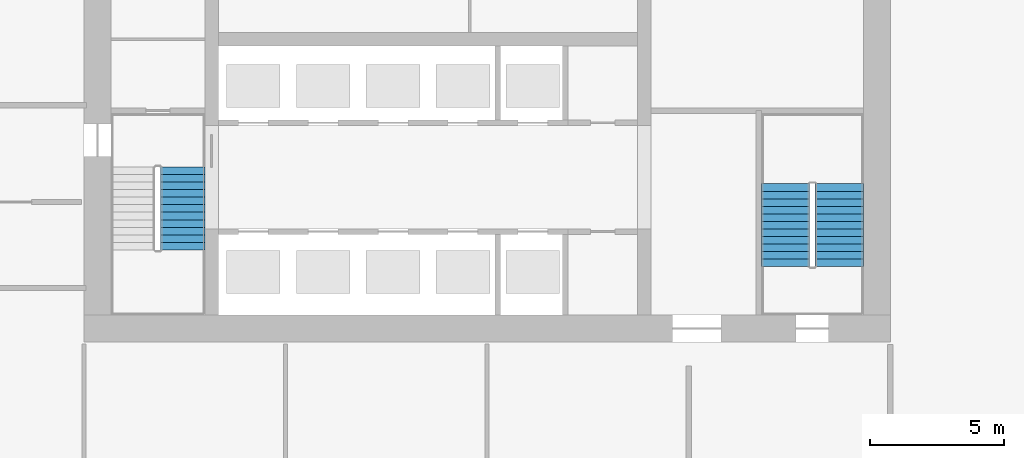
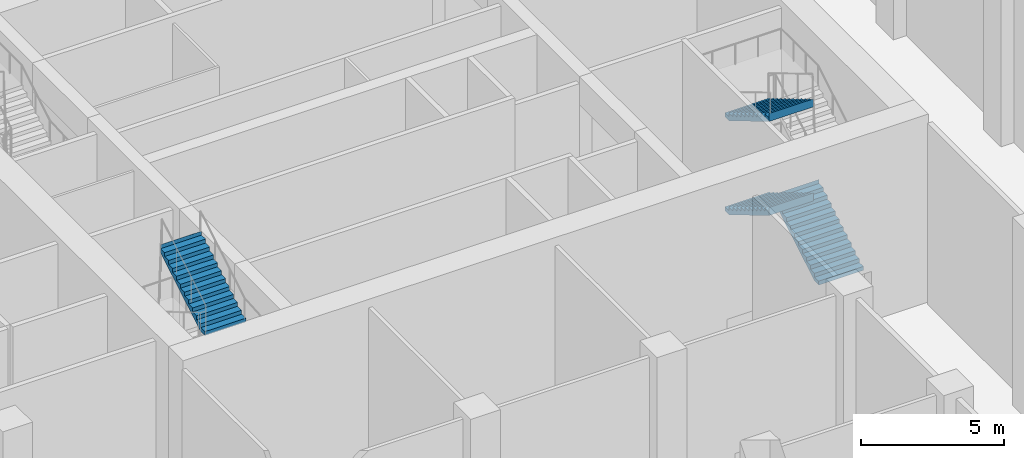
# One storey, part 36 of 57: 4 stair flights, 2 elements without a shape of their own.
"""IFC4 building model written with IfcOpenShell, lengths in metres."""

from ifc_helpers import new_model, si_unit, direction, frame, origin, place, context, subcontext, project, spatial, polyline, outline, extrude, material, type_object, element, aggregate, save


model = new_model("IFC4")

# Units and contexts
model_context = context("Model", 3, precision=1e-05, world=origin(), true_north=direction((0.0, 1.0)))
body_context = subcontext(model_context, "Body", "Model", "MODEL_VIEW")
ifc_project = project(units=[si_unit("LENGTHUNIT", "METRE"), si_unit("AREAUNIT", "SQUARE_METRE"), si_unit("VOLUMEUNIT", "CUBIC_METRE"), si_unit("PLANEANGLEUNIT", "RADIAN"), si_unit("MASSUNIT", "GRAM", prefix="KILO")], contexts=[model_context])

# Site, building, storey
site_placement = place(None, origin())
site = spatial("IfcSite", under=ifc_project, at=site_placement, CompositionType="ELEMENT")
building_placement = place(site_placement, origin())
building = spatial("IfcBuilding", under=site, at=building_placement, Name="Tamorin Gate", CompositionType="ELEMENT")
storey_placement = place(building_placement, origin())
storey = spatial("IfcBuildingStorey", under=building, at=storey_placement, Name="L00", CompositionType="ELEMENT", Elevation=0.0)

# Stair, stair flight
ifc_material = material(Name="Concrete C40/50", Category="concrete")
stair_type = type_object("IfcStairType", Name="Exit stair", PredefinedType="HALF_TURN_STAIR", material=ifc_material)
stair_1_placement = place(storey_placement, origin())
stair_1 = element("IfcStair", 1, at=stair_1_placement, inside=storey, type_object=stair_type, Name="L00 stair ST1", PredefinedType="HALF_TURN_STAIR")
stair_flight_type = type_object("IfcStairFlightType", Name="Exit stair flight", PredefinedType="STRAIGHT", material=ifc_material)
stair_flight_1_placement = place(storey_placement, frame((33.675048828125, 63.419921875, 6.0), z_axis=(0.0, 0.0, 1.0), x_axis=(0.0, 1.0, 0.0)))
stair_flight_1 = element("IfcStairFlight", 2, at=stair_flight_1_placement, type_object=stair_flight_type, Name="ST1 flight 4", NumberOfRisers=12, NumberOfTreads=11, PredefinedType="STRAIGHT", RiserHeight=0.166666667, TreadLength=0.28, context=body_context, shape_type="SweptSolid", body=[
    extrude(outline(polyline([(-0.00048828125, 0.0), (-0.00048828125, 0.001708984375), (-0.00048828125, 0.00341796875), (-0.00048828125, 0.0048828125), (-0.00048828125, 0.006591796875), (-0.00048828125, 0.00830078125), (-0.00048828125, 0.010009765625), (-0.00048828125, 0.011474609375), (-0.00048828125, 0.01318359375), (-0.00048828125, 0.014892578125), (-0.00048828125, 0.0166015625), (-0.00048828125, 0.01806640625), (-0.00048828125, 0.019775390625), (-0.00048828125, 0.021484375), (-0.00048828125, 0.023193359375), (-0.00048828125, 0.024658203125), (-0.00048828125, 0.0263671875), (-0.00048828125, 0.028076171875), (-0.00048828125, 0.02978515625), (-0.00048828125, 0.03125), (-0.00048828125, 0.032958984375), (-0.00048828125, 0.03466796875), (-0.00048828125, 0.036376953125), (-0.00048828125, 0.037841796875), (-0.00048828125, 0.03955078125), (-0.00048828125, 0.041259765625), (-0.00048828125, 0.04296875), (-0.00048828125, 0.04443359375), (-0.00048828125, 0.046142578125), (-0.00048828125, 0.0478515625), (-0.00048828125, 0.049560546875), (-0.00048828125, 0.05126953125), (-0.00048828125, 0.052734375), (-0.00048828125, 0.054443359375), (-0.00048828125, 0.05615234375), (-0.00048828125, 0.057861328125), (-0.00048828125, 0.059326171875), (-0.00048828125, 0.06103515625), (-0.00048828125, 0.062744140625), (-0.00048828125, 0.064453125), (-0.00048828125, 0.06591796875), (-0.00048828125, 0.067626953125), (-0.00048828125, 0.0693359375), (-0.00048828125, 0.071044921875), (-0.00048828125, 0.072509765625), (-0.00048828125, 0.07421875), (-0.00048828125, 0.075927734375), (-0.00048828125, 0.07763671875), (-0.00048828125, 0.0791015625), (-0.00048828125, 0.080810546875), (-0.00048828125, 0.08251953125), (-0.00048828125, 0.084228515625), (-0.00048828125, 0.085693359375), (-0.00048828125, 0.08740234375), (-0.00048828125, 0.089111328125), (-0.00048828125, 0.0908203125), (-0.00048828125, 0.092529296875), (-0.00048828125, 0.093994140625), (-0.00048828125, 0.095703125), (-0.00048828125, 0.097412109375), (-0.00048828125, 0.09912109375), (-0.00048828125, 0.1005859375), (-0.00048828125, 0.102294921875), (-0.00048828125, 0.10400390625), (-0.00048828125, 0.105712890625), (-0.00048828125, 0.107177734375), (-0.00048828125, 0.10888671875), (-0.00048828125, 0.110595703125), (-0.00048828125, 0.1123046875), (-0.00048828125, 0.11376953125), (-0.00048828125, 0.115478515625), (-0.00048828125, 0.1171875), (-0.00048828125, 0.118896484375), (-0.00048828125, 0.120361328125), (-0.00048828125, 0.1220703125), (-0.00048828125, 0.123779296875), (-0.00048828125, 0.12548828125), (-0.00048828125, 0.126953125), (-0.00048828125, 0.128662109375), (-0.00048828125, 0.13037109375), (-0.00048828125, 0.132080078125), (-0.00048828125, 0.133544921875), (-0.00048828125, 0.13525390625), (-0.00048828125, 0.136962890625), (-0.00048828125, 0.138671875), (-0.00048828125, 0.140380859375), (-0.00048828125, 0.141845703125), (-0.00048828125, 0.1435546875), (-0.00048828125, 0.145263671875), (-0.00048828125, 0.14697265625), (-0.00048828125, 0.1484375), (-0.00048828125, 0.150146484375), (-0.00048828125, 0.15185546875), (-0.00048828125, 0.153564453125), (-0.00048828125, 0.155029296875), (-0.00048828125, 0.15673828125), (-0.00048828125, 0.158447265625), (-0.00048828125, 0.16015625), (-0.00048828125, 0.16162109375), (-0.00048828125, 0.163330078125), (-0.00048828125, 0.1650390625), (-0.00048828125, 0.166748046875), (0.280029296875, 0.166748046875), (0.280029296875, 0.333251953125), (0.56005859375, 0.333251953125), (0.56005859375, 0.5), (0.840087890625, 0.5), (0.840087890625, 0.666748046875), (1.1201171875, 0.666748046875), (1.1201171875, 0.833251953125), (1.39990234375, 0.833251953125), (1.39990234375, 1.0), (1.679931640625, 1.0), (1.679931640625, 1.166748046875), (1.9599609375, 1.166748046875), (1.9599609375, 1.333251953125), (2.239990234375, 1.333251953125), (2.239990234375, 1.5), (2.52001953125, 1.5), (2.52001953125, 1.666748046875), (2.800048828125, 1.666748046875), (2.800048828125, 1.833251953125), (3.080078125, 1.833251953125), (3.080078125, 2.0), (3.08056640625, 2.0), (3.08056640625, 1.99658203125), (3.08056640625, 1.9931640625), (3.08056640625, 1.98974609375), (3.08056640625, 1.986572265625), (3.08056640625, 1.983154296875), (3.08056640625, 1.979736328125), (3.08056640625, 1.976318359375), (3.08056640625, 1.972900390625), (3.08056640625, 1.969482421875), (3.08056640625, 1.96630859375), (3.08056640625, 1.962890625), (3.08056640625, 1.95947265625), (3.08056640625, 1.9560546875), (3.08056640625, 1.95263671875), (3.08056640625, 1.94921875), (3.08056640625, 1.946044921875), (3.08056640625, 1.942626953125), (3.08056640625, 1.939208984375), (3.08056640625, 1.935791015625), (3.08056640625, 1.932373046875), (3.08056640625, 1.928955078125), (3.08056640625, 1.92578125), (3.08056640625, 1.92236328125), (3.08056640625, 1.9189453125), (3.08056640625, 1.91552734375), (3.08056640625, 1.912109375), (3.08056640625, 1.90869140625), (3.08056640625, 1.905517578125), (3.08056640625, 1.902099609375), (3.08056640625, 1.898681640625), (3.08056640625, 1.895263671875), (3.08056640625, 1.891845703125), (3.08056640625, 1.888427734375), (3.08056640625, 1.88525390625), (3.08056640625, 1.8818359375), (3.08056640625, 1.87841796875), (3.08056640625, 1.875), (3.08056640625, 1.87158203125), (3.08056640625, 1.8681640625), (3.08056640625, 1.864990234375), (3.08056640625, 1.861572265625), (3.08056640625, 1.858154296875), (3.08056640625, 1.854736328125), (3.08056640625, 1.851318359375), (3.08056640625, 1.847900390625), (3.08056640625, 1.8447265625), (3.08056640625, 1.84130859375), (3.08056640625, 1.837890625), (3.08056640625, 1.83447265625), (3.08056640625, 1.8310546875), (3.08056640625, 1.82763671875), (3.08056640625, 1.824462890625), (3.08056640625, 1.821044921875), (3.08056640625, 1.817626953125), (3.08056640625, 1.814208984375), (3.08056640625, 1.810791015625), (3.08056640625, 1.807373046875), (3.08056640625, 1.80419921875), (3.08056640625, 1.80078125), (3.08056640625, 1.79736328125), (3.08056640625, 1.7939453125), (3.08056640625, 1.79052734375), (3.08056640625, 1.787109375), (3.08056640625, 1.783935546875), (3.08056640625, 1.780517578125), (3.08056640625, 1.777099609375), (3.08056640625, 1.773681640625), (3.08056640625, 1.770263671875), (3.08056640625, 1.766845703125), (3.08056640625, 1.763671875), (3.08056640625, 1.76025390625), (3.08056640625, 1.7568359375), (3.08056640625, 1.75341796875), (3.08056640625, 1.75), (3.08056640625, 1.74658203125), (3.08056640625, 1.743408203125), (3.08056640625, 1.739990234375), (3.08056640625, 1.736572265625), (3.08056640625, 1.733154296875), (3.08056640625, 1.729736328125), (3.08056640625, 1.726318359375), (3.08056640625, 1.72314453125), (3.08056640625, 1.7197265625), (3.08056640625, 1.71630859375), (3.08056640625, 1.712890625), (3.08056640625, 1.70947265625), (3.08056640625, 1.7060546875), (3.08056640625, 1.702880859375), (3.08056640625, 1.699462890625), (3.08056640625, 1.696044921875), (3.08056640625, 1.692626953125), (3.08056640625, 1.689208984375), (3.08056640625, 1.685791015625), (3.08056640625, 1.6826171875), (3.08056640625, 1.67919921875), (3.08056640625, 1.67578125), (3.08056640625, 1.67236328125), (3.08056640625, 1.6689453125), (3.08056640625, 1.66552734375), (3.08056640625, 1.662353515625), (3.08056640625, 1.658935546875), (3.080078125, 1.658935546875), (0.29296875, 0.0), (-0.00048828125, 0.0)])), frame((0.0, 0.824951171875, 0.0), z_axis=(0.0, -1.0, 0.0), x_axis=(1.0, 0.0, 0.0)), (0.0, 0.0, 1.0), 1.64990234375),
])
aggregate(stair_1, [stair_flight_1])

# Stair, stair flights
stair_2_placement = place(storey_placement, origin())
stair_2 = element("IfcStair", 3, at=stair_2_placement, inside=storey, type_object=stair_type, Name="L00 stair ST3", PredefinedType="HALF_TURN_STAIR")
stair_flight_2_placement = place(storey_placement, frame((58.10009765625, 62.800048828125, 0.0), z_axis=(0.0, 0.0, 1.0), x_axis=(0.0, 1.0, 0.0)))
stair_flight_2 = element("IfcStairFlight", 4, at=stair_flight_2_placement, type_object=stair_flight_type, Name="ST3 flight 1", NumberOfRisers=12, NumberOfTreads=11, PredefinedType="STRAIGHT", RiserHeight=0.166666667, TreadLength=0.28, context=body_context, shape_type="SweptSolid", body=[
    extrude(outline(polyline([(-0.00048828125, 0.0), (-0.00048828125, 0.001708984375), (-0.00048828125, 0.00341796875), (-0.00048828125, 0.0048828125), (-0.00048828125, 0.006591796875), (-0.00048828125, 0.00830078125), (-0.00048828125, 0.010009765625), (-0.00048828125, 0.011474609375), (-0.00048828125, 0.01318359375), (-0.00048828125, 0.014892578125), (-0.00048828125, 0.0166015625), (-0.00048828125, 0.01806640625), (-0.00048828125, 0.019775390625), (-0.00048828125, 0.021484375), (-0.00048828125, 0.023193359375), (-0.00048828125, 0.024658203125), (-0.00048828125, 0.0263671875), (-0.00048828125, 0.028076171875), (-0.00048828125, 0.02978515625), (-0.00048828125, 0.03125), (-0.00048828125, 0.032958984375), (-0.00048828125, 0.03466796875), (-0.00048828125, 0.036376953125), (-0.00048828125, 0.037841796875), (-0.00048828125, 0.03955078125), (-0.00048828125, 0.041259765625), (-0.00048828125, 0.04296875), (-0.00048828125, 0.04443359375), (-0.00048828125, 0.046142578125), (-0.00048828125, 0.0478515625), (-0.00048828125, 0.049560546875), (-0.00048828125, 0.05126953125), (-0.00048828125, 0.052734375), (-0.00048828125, 0.054443359375), (-0.00048828125, 0.05615234375), (-0.00048828125, 0.057861328125), (-0.00048828125, 0.059326171875), (-0.00048828125, 0.06103515625), (-0.00048828125, 0.062744140625), (-0.00048828125, 0.064453125), (-0.00048828125, 0.06591796875), (-0.00048828125, 0.067626953125), (-0.00048828125, 0.0693359375), (-0.00048828125, 0.071044921875), (-0.00048828125, 0.072509765625), (-0.00048828125, 0.07421875), (-0.00048828125, 0.075927734375), (-0.00048828125, 0.07763671875), (-0.00048828125, 0.0791015625), (-0.00048828125, 0.080810546875), (-0.00048828125, 0.08251953125), (-0.00048828125, 0.084228515625), (-0.00048828125, 0.085693359375), (-0.00048828125, 0.08740234375), (-0.00048828125, 0.089111328125), (-0.00048828125, 0.0908203125), (-0.00048828125, 0.092529296875), (-0.00048828125, 0.093994140625), (-0.00048828125, 0.095703125), (-0.00048828125, 0.097412109375), (-0.00048828125, 0.09912109375), (-0.00048828125, 0.1005859375), (-0.00048828125, 0.102294921875), (-0.00048828125, 0.10400390625), (-0.00048828125, 0.105712890625), (-0.00048828125, 0.107177734375), (-0.00048828125, 0.10888671875), (-0.00048828125, 0.110595703125), (-0.00048828125, 0.1123046875), (-0.00048828125, 0.11376953125), (-0.00048828125, 0.115478515625), (-0.00048828125, 0.1171875), (-0.00048828125, 0.118896484375), (-0.00048828125, 0.120361328125), (-0.00048828125, 0.1220703125), (-0.00048828125, 0.123779296875), (-0.00048828125, 0.12548828125), (-0.00048828125, 0.126953125), (-0.00048828125, 0.128662109375), (-0.00048828125, 0.13037109375), (-0.00048828125, 0.132080078125), (-0.00048828125, 0.133544921875), (-0.00048828125, 0.13525390625), (-0.00048828125, 0.136962890625), (-0.00048828125, 0.138671875), (-0.00048828125, 0.140380859375), (-0.00048828125, 0.141845703125), (-0.00048828125, 0.1435546875), (-0.00048828125, 0.145263671875), (-0.00048828125, 0.14697265625), (-0.00048828125, 0.1484375), (-0.00048828125, 0.150146484375), (-0.00048828125, 0.15185546875), (-0.00048828125, 0.153564453125), (-0.00048828125, 0.155029296875), (-0.00048828125, 0.15673828125), (-0.00048828125, 0.158447265625), (-0.00048828125, 0.16015625), (-0.00048828125, 0.16162109375), (-0.00048828125, 0.163330078125), (-0.00048828125, 0.1650390625), (-0.00048828125, 0.166748046875), (0.280029296875, 0.166748046875), (0.280029296875, 0.333251953125), (0.56005859375, 0.333251953125), (0.56005859375, 0.5), (0.840087890625, 0.5), (0.840087890625, 0.666748046875), (1.1201171875, 0.666748046875), (1.1201171875, 0.833251953125), (1.39990234375, 0.833251953125), (1.39990234375, 1.0), (1.679931640625, 1.0), (1.679931640625, 1.166748046875), (1.9599609375, 1.166748046875), (1.9599609375, 1.333251953125), (2.239990234375, 1.333251953125), (2.239990234375, 1.5), (2.52001953125, 1.5), (2.52001953125, 1.666748046875), (2.800048828125, 1.666748046875), (2.800048828125, 1.833251953125), (3.080078125, 1.833251953125), (3.080078125, 2.0), (3.08056640625, 2.0), (3.08056640625, 1.99658203125), (3.08056640625, 1.9931640625), (3.08056640625, 1.98974609375), (3.08056640625, 1.986572265625), (3.08056640625, 1.983154296875), (3.08056640625, 1.979736328125), (3.08056640625, 1.976318359375), (3.08056640625, 1.972900390625), (3.08056640625, 1.969482421875), (3.08056640625, 1.96630859375), (3.08056640625, 1.962890625), (3.08056640625, 1.95947265625), (3.08056640625, 1.9560546875), (3.08056640625, 1.95263671875), (3.08056640625, 1.94921875), (3.08056640625, 1.946044921875), (3.08056640625, 1.942626953125), (3.08056640625, 1.939208984375), (3.08056640625, 1.935791015625), (3.08056640625, 1.932373046875), (3.08056640625, 1.928955078125), (3.08056640625, 1.92578125), (3.08056640625, 1.92236328125), (3.08056640625, 1.9189453125), (3.08056640625, 1.91552734375), (3.08056640625, 1.912109375), (3.08056640625, 1.90869140625), (3.08056640625, 1.905517578125), (3.08056640625, 1.902099609375), (3.08056640625, 1.898681640625), (3.08056640625, 1.895263671875), (3.08056640625, 1.891845703125), (3.08056640625, 1.888427734375), (3.08056640625, 1.88525390625), (3.08056640625, 1.8818359375), (3.08056640625, 1.87841796875), (3.08056640625, 1.875), (3.08056640625, 1.87158203125), (3.08056640625, 1.8681640625), (3.08056640625, 1.864990234375), (3.08056640625, 1.861572265625), (3.08056640625, 1.858154296875), (3.08056640625, 1.854736328125), (3.08056640625, 1.851318359375), (3.08056640625, 1.847900390625), (3.08056640625, 1.8447265625), (3.08056640625, 1.84130859375), (3.08056640625, 1.837890625), (3.08056640625, 1.83447265625), (3.08056640625, 1.8310546875), (3.08056640625, 1.82763671875), (3.08056640625, 1.824462890625), (3.08056640625, 1.821044921875), (3.08056640625, 1.817626953125), (3.08056640625, 1.814208984375), (3.08056640625, 1.810791015625), (3.08056640625, 1.807373046875), (3.08056640625, 1.80419921875), (3.08056640625, 1.80078125), (3.08056640625, 1.79736328125), (3.08056640625, 1.7939453125), (3.08056640625, 1.79052734375), (3.08056640625, 1.787109375), (3.08056640625, 1.783935546875), (3.08056640625, 1.780517578125), (3.08056640625, 1.777099609375), (3.08056640625, 1.773681640625), (3.08056640625, 1.770263671875), (3.08056640625, 1.766845703125), (3.08056640625, 1.763671875), (3.08056640625, 1.76025390625), (3.08056640625, 1.7568359375), (3.08056640625, 1.75341796875), (3.08056640625, 1.75), (3.08056640625, 1.74658203125), (3.08056640625, 1.743408203125), (3.08056640625, 1.739990234375), (3.08056640625, 1.736572265625), (3.08056640625, 1.733154296875), (3.08056640625, 1.729736328125), (3.08056640625, 1.726318359375), (3.08056640625, 1.72314453125), (3.08056640625, 1.7197265625), (3.08056640625, 1.71630859375), (3.08056640625, 1.712890625), (3.08056640625, 1.70947265625), (3.08056640625, 1.7060546875), (3.08056640625, 1.702880859375), (3.08056640625, 1.699462890625), (3.08056640625, 1.696044921875), (3.08056640625, 1.692626953125), (3.08056640625, 1.689208984375), (3.08056640625, 1.685791015625), (3.08056640625, 1.6826171875), (3.08056640625, 1.67919921875), (3.08056640625, 1.67578125), (3.08056640625, 1.67236328125), (3.08056640625, 1.6689453125), (3.08056640625, 1.66552734375), (3.08056640625, 1.662353515625), (3.08056640625, 1.658935546875), (3.080078125, 1.658935546875), (0.29296875, 0.0), (-0.00048828125, 0.0)])), frame((0.0, 0.89990234375, 0.0), z_axis=(0.0, -1.0, 0.0), x_axis=(1.0, 0.0, 0.0)), (0.0, 0.0, 1.0), 1.800048828125),
])
stair_flight_3_placement = place(storey_placement, frame((56.10009765625, 65.8798828125, 2.0), z_axis=(0.0, 0.0, 1.0), x_axis=(0.0, -1.0, 0.0)))
stair_flight_3 = element("IfcStairFlight", 5, at=stair_flight_3_placement, type_object=stair_flight_type, Name="ST3 flight 2", NumberOfRisers=12, NumberOfTreads=11, PredefinedType="STRAIGHT", RiserHeight=0.166666667, TreadLength=0.28, context=body_context, shape_type="SweptSolid", body=[
    extrude(outline(polyline([(-0.00048828125, 0.0), (-0.00048828125, 0.001708984375), (-0.00048828125, 0.00341796875), (-0.00048828125, 0.0048828125), (-0.00048828125, 0.006591796875), (-0.00048828125, 0.00830078125), (-0.00048828125, 0.010009765625), (-0.00048828125, 0.011474609375), (-0.00048828125, 0.01318359375), (-0.00048828125, 0.014892578125), (-0.00048828125, 0.0166015625), (-0.00048828125, 0.01806640625), (-0.00048828125, 0.019775390625), (-0.00048828125, 0.021484375), (-0.00048828125, 0.023193359375), (-0.00048828125, 0.024658203125), (-0.00048828125, 0.0263671875), (-0.00048828125, 0.028076171875), (-0.00048828125, 0.02978515625), (-0.00048828125, 0.03125), (-0.00048828125, 0.032958984375), (-0.00048828125, 0.03466796875), (-0.00048828125, 0.036376953125), (-0.00048828125, 0.037841796875), (-0.00048828125, 0.03955078125), (-0.00048828125, 0.041259765625), (-0.00048828125, 0.04296875), (-0.00048828125, 0.04443359375), (-0.00048828125, 0.046142578125), (-0.00048828125, 0.0478515625), (-0.00048828125, 0.049560546875), (-0.00048828125, 0.05126953125), (-0.00048828125, 0.052734375), (-0.00048828125, 0.054443359375), (-0.00048828125, 0.05615234375), (-0.00048828125, 0.057861328125), (-0.00048828125, 0.059326171875), (-0.00048828125, 0.06103515625), (-0.00048828125, 0.062744140625), (-0.00048828125, 0.064453125), (-0.00048828125, 0.06591796875), (-0.00048828125, 0.067626953125), (-0.00048828125, 0.0693359375), (-0.00048828125, 0.071044921875), (-0.00048828125, 0.072509765625), (-0.00048828125, 0.07421875), (-0.00048828125, 0.075927734375), (-0.00048828125, 0.07763671875), (-0.00048828125, 0.0791015625), (-0.00048828125, 0.080810546875), (-0.00048828125, 0.08251953125), (-0.00048828125, 0.084228515625), (-0.00048828125, 0.085693359375), (-0.00048828125, 0.08740234375), (-0.00048828125, 0.089111328125), (-0.00048828125, 0.0908203125), (-0.00048828125, 0.092529296875), (-0.00048828125, 0.093994140625), (-0.00048828125, 0.095703125), (-0.00048828125, 0.097412109375), (-0.00048828125, 0.09912109375), (-0.00048828125, 0.1005859375), (-0.00048828125, 0.102294921875), (-0.00048828125, 0.10400390625), (-0.00048828125, 0.105712890625), (-0.00048828125, 0.107177734375), (-0.00048828125, 0.10888671875), (-0.00048828125, 0.110595703125), (-0.00048828125, 0.1123046875), (-0.00048828125, 0.11376953125), (-0.00048828125, 0.115478515625), (-0.00048828125, 0.1171875), (-0.00048828125, 0.118896484375), (-0.00048828125, 0.120361328125), (-0.00048828125, 0.1220703125), (-0.00048828125, 0.123779296875), (-0.00048828125, 0.12548828125), (-0.00048828125, 0.126953125), (-0.00048828125, 0.128662109375), (-0.00048828125, 0.13037109375), (-0.00048828125, 0.132080078125), (-0.00048828125, 0.133544921875), (-0.00048828125, 0.13525390625), (-0.00048828125, 0.136962890625), (-0.00048828125, 0.138671875), (-0.00048828125, 0.140380859375), (-0.00048828125, 0.141845703125), (-0.00048828125, 0.1435546875), (-0.00048828125, 0.145263671875), (-0.00048828125, 0.14697265625), (-0.00048828125, 0.1484375), (-0.00048828125, 0.150146484375), (-0.00048828125, 0.15185546875), (-0.00048828125, 0.153564453125), (-0.00048828125, 0.155029296875), (-0.00048828125, 0.15673828125), (-0.00048828125, 0.158447265625), (-0.00048828125, 0.16015625), (-0.00048828125, 0.16162109375), (-0.00048828125, 0.163330078125), (-0.00048828125, 0.1650390625), (-0.00048828125, 0.166748046875), (0.280029296875, 0.166748046875), (0.280029296875, 0.333251953125), (0.56005859375, 0.333251953125), (0.56005859375, 0.5), (0.840087890625, 0.5), (0.840087890625, 0.666748046875), (1.1201171875, 0.666748046875), (1.1201171875, 0.833251953125), (1.39990234375, 0.833251953125), (1.39990234375, 1.0), (1.679931640625, 1.0), (1.679931640625, 1.166748046875), (1.9599609375, 1.166748046875), (1.9599609375, 1.333251953125), (2.239990234375, 1.333251953125), (2.239990234375, 1.5), (2.52001953125, 1.5), (2.52001953125, 1.666748046875), (2.800048828125, 1.666748046875), (2.800048828125, 1.833251953125), (3.080078125, 1.833251953125), (3.080078125, 2.0), (3.08056640625, 2.0), (3.08056640625, 1.99658203125), (3.08056640625, 1.9931640625), (3.08056640625, 1.98974609375), (3.08056640625, 1.986572265625), (3.08056640625, 1.983154296875), (3.08056640625, 1.979736328125), (3.08056640625, 1.976318359375), (3.08056640625, 1.972900390625), (3.08056640625, 1.969482421875), (3.08056640625, 1.96630859375), (3.08056640625, 1.962890625), (3.08056640625, 1.95947265625), (3.08056640625, 1.9560546875), (3.08056640625, 1.95263671875), (3.08056640625, 1.94921875), (3.08056640625, 1.946044921875), (3.08056640625, 1.942626953125), (3.08056640625, 1.939208984375), (3.08056640625, 1.935791015625), (3.08056640625, 1.932373046875), (3.08056640625, 1.928955078125), (3.08056640625, 1.92578125), (3.08056640625, 1.92236328125), (3.08056640625, 1.9189453125), (3.08056640625, 1.91552734375), (3.08056640625, 1.912109375), (3.08056640625, 1.90869140625), (3.08056640625, 1.905517578125), (3.08056640625, 1.902099609375), (3.08056640625, 1.898681640625), (3.08056640625, 1.895263671875), (3.08056640625, 1.891845703125), (3.08056640625, 1.888427734375), (3.08056640625, 1.88525390625), (3.08056640625, 1.8818359375), (3.08056640625, 1.87841796875), (3.08056640625, 1.875), (3.08056640625, 1.87158203125), (3.08056640625, 1.8681640625), (3.08056640625, 1.864990234375), (3.08056640625, 1.861572265625), (3.08056640625, 1.858154296875), (3.08056640625, 1.854736328125), (3.08056640625, 1.851318359375), (3.08056640625, 1.847900390625), (3.08056640625, 1.8447265625), (3.08056640625, 1.84130859375), (3.08056640625, 1.837890625), (3.08056640625, 1.83447265625), (3.08056640625, 1.8310546875), (3.08056640625, 1.82763671875), (3.08056640625, 1.824462890625), (3.08056640625, 1.821044921875), (3.08056640625, 1.817626953125), (3.08056640625, 1.814208984375), (3.08056640625, 1.810791015625), (3.08056640625, 1.807373046875), (3.08056640625, 1.80419921875), (3.08056640625, 1.80078125), (3.08056640625, 1.79736328125), (3.08056640625, 1.7939453125), (3.08056640625, 1.79052734375), (3.08056640625, 1.787109375), (3.08056640625, 1.783935546875), (3.08056640625, 1.780517578125), (3.08056640625, 1.777099609375), (3.08056640625, 1.773681640625), (3.08056640625, 1.770263671875), (3.08056640625, 1.766845703125), (3.08056640625, 1.763671875), (3.08056640625, 1.76025390625), (3.08056640625, 1.7568359375), (3.08056640625, 1.75341796875), (3.08056640625, 1.75), (3.08056640625, 1.74658203125), (3.08056640625, 1.743408203125), (3.08056640625, 1.739990234375), (3.08056640625, 1.736572265625), (3.08056640625, 1.733154296875), (3.08056640625, 1.729736328125), (3.08056640625, 1.726318359375), (3.08056640625, 1.72314453125), (3.08056640625, 1.7197265625), (3.08056640625, 1.71630859375), (3.08056640625, 1.712890625), (3.08056640625, 1.70947265625), (3.08056640625, 1.7060546875), (3.08056640625, 1.702880859375), (3.08056640625, 1.699462890625), (3.08056640625, 1.696044921875), (3.08056640625, 1.692626953125), (3.08056640625, 1.689208984375), (3.08056640625, 1.685791015625), (3.08056640625, 1.6826171875), (3.08056640625, 1.67919921875), (3.08056640625, 1.67578125), (3.08056640625, 1.67236328125), (3.08056640625, 1.6689453125), (3.08056640625, 1.66552734375), (3.08056640625, 1.662353515625), (3.08056640625, 1.658935546875), (3.080078125, 1.658935546875), (0.29296875, 0.0), (-0.00048828125, 0.0)])), frame((0.0, 0.89990234375, 0.0), z_axis=(0.0, -1.0, 0.0), x_axis=(1.0, 0.0, 0.0)), (0.0, 0.0, 1.0), 1.800048828125),
])
stair_flight_4_placement = place(storey_placement, frame((56.10009765625, 65.8798828125, 6.0), z_axis=(0.0, 0.0, 1.0), x_axis=(0.0, -1.0, 0.0)))
stair_flight_4 = element("IfcStairFlight", 6, at=stair_flight_4_placement, type_object=stair_flight_type, Name="ST3 flight 4", NumberOfRisers=12, NumberOfTreads=11, PredefinedType="STRAIGHT", RiserHeight=0.166666667, TreadLength=0.28, context=body_context, shape_type="SweptSolid", body=[
    extrude(outline(polyline([(-0.00048828125, 0.0), (-0.00048828125, 0.001708984375), (-0.00048828125, 0.00341796875), (-0.00048828125, 0.0048828125), (-0.00048828125, 0.006591796875), (-0.00048828125, 0.00830078125), (-0.00048828125, 0.010009765625), (-0.00048828125, 0.011474609375), (-0.00048828125, 0.01318359375), (-0.00048828125, 0.014892578125), (-0.00048828125, 0.0166015625), (-0.00048828125, 0.01806640625), (-0.00048828125, 0.019775390625), (-0.00048828125, 0.021484375), (-0.00048828125, 0.023193359375), (-0.00048828125, 0.024658203125), (-0.00048828125, 0.0263671875), (-0.00048828125, 0.028076171875), (-0.00048828125, 0.02978515625), (-0.00048828125, 0.03125), (-0.00048828125, 0.032958984375), (-0.00048828125, 0.03466796875), (-0.00048828125, 0.036376953125), (-0.00048828125, 0.037841796875), (-0.00048828125, 0.03955078125), (-0.00048828125, 0.041259765625), (-0.00048828125, 0.04296875), (-0.00048828125, 0.04443359375), (-0.00048828125, 0.046142578125), (-0.00048828125, 0.0478515625), (-0.00048828125, 0.049560546875), (-0.00048828125, 0.05126953125), (-0.00048828125, 0.052734375), (-0.00048828125, 0.054443359375), (-0.00048828125, 0.05615234375), (-0.00048828125, 0.057861328125), (-0.00048828125, 0.059326171875), (-0.00048828125, 0.06103515625), (-0.00048828125, 0.062744140625), (-0.00048828125, 0.064453125), (-0.00048828125, 0.06591796875), (-0.00048828125, 0.067626953125), (-0.00048828125, 0.0693359375), (-0.00048828125, 0.071044921875), (-0.00048828125, 0.072509765625), (-0.00048828125, 0.07421875), (-0.00048828125, 0.075927734375), (-0.00048828125, 0.07763671875), (-0.00048828125, 0.0791015625), (-0.00048828125, 0.080810546875), (-0.00048828125, 0.08251953125), (-0.00048828125, 0.084228515625), (-0.00048828125, 0.085693359375), (-0.00048828125, 0.08740234375), (-0.00048828125, 0.089111328125), (-0.00048828125, 0.0908203125), (-0.00048828125, 0.092529296875), (-0.00048828125, 0.093994140625), (-0.00048828125, 0.095703125), (-0.00048828125, 0.097412109375), (-0.00048828125, 0.09912109375), (-0.00048828125, 0.1005859375), (-0.00048828125, 0.102294921875), (-0.00048828125, 0.10400390625), (-0.00048828125, 0.105712890625), (-0.00048828125, 0.107177734375), (-0.00048828125, 0.10888671875), (-0.00048828125, 0.110595703125), (-0.00048828125, 0.1123046875), (-0.00048828125, 0.11376953125), (-0.00048828125, 0.115478515625), (-0.00048828125, 0.1171875), (-0.00048828125, 0.118896484375), (-0.00048828125, 0.120361328125), (-0.00048828125, 0.1220703125), (-0.00048828125, 0.123779296875), (-0.00048828125, 0.12548828125), (-0.00048828125, 0.126953125), (-0.00048828125, 0.128662109375), (-0.00048828125, 0.13037109375), (-0.00048828125, 0.132080078125), (-0.00048828125, 0.133544921875), (-0.00048828125, 0.13525390625), (-0.00048828125, 0.136962890625), (-0.00048828125, 0.138671875), (-0.00048828125, 0.140380859375), (-0.00048828125, 0.141845703125), (-0.00048828125, 0.1435546875), (-0.00048828125, 0.145263671875), (-0.00048828125, 0.14697265625), (-0.00048828125, 0.1484375), (-0.00048828125, 0.150146484375), (-0.00048828125, 0.15185546875), (-0.00048828125, 0.153564453125), (-0.00048828125, 0.155029296875), (-0.00048828125, 0.15673828125), (-0.00048828125, 0.158447265625), (-0.00048828125, 0.16015625), (-0.00048828125, 0.16162109375), (-0.00048828125, 0.163330078125), (-0.00048828125, 0.1650390625), (-0.00048828125, 0.166748046875), (0.280029296875, 0.166748046875), (0.280029296875, 0.333251953125), (0.56005859375, 0.333251953125), (0.56005859375, 0.5), (0.840087890625, 0.5), (0.840087890625, 0.666748046875), (1.1201171875, 0.666748046875), (1.1201171875, 0.833251953125), (1.39990234375, 0.833251953125), (1.39990234375, 1.0), (1.679931640625, 1.0), (1.679931640625, 1.166748046875), (1.9599609375, 1.166748046875), (1.9599609375, 1.333251953125), (2.239990234375, 1.333251953125), (2.239990234375, 1.5), (2.52001953125, 1.5), (2.52001953125, 1.666748046875), (2.800048828125, 1.666748046875), (2.800048828125, 1.833251953125), (3.080078125, 1.833251953125), (3.080078125, 2.0), (3.08056640625, 2.0), (3.08056640625, 1.99658203125), (3.08056640625, 1.9931640625), (3.08056640625, 1.98974609375), (3.08056640625, 1.986572265625), (3.08056640625, 1.983154296875), (3.08056640625, 1.979736328125), (3.08056640625, 1.976318359375), (3.08056640625, 1.972900390625), (3.08056640625, 1.969482421875), (3.08056640625, 1.96630859375), (3.08056640625, 1.962890625), (3.08056640625, 1.95947265625), (3.08056640625, 1.9560546875), (3.08056640625, 1.95263671875), (3.08056640625, 1.94921875), (3.08056640625, 1.946044921875), (3.08056640625, 1.942626953125), (3.08056640625, 1.939208984375), (3.08056640625, 1.935791015625), (3.08056640625, 1.932373046875), (3.08056640625, 1.928955078125), (3.08056640625, 1.92578125), (3.08056640625, 1.92236328125), (3.08056640625, 1.9189453125), (3.08056640625, 1.91552734375), (3.08056640625, 1.912109375), (3.08056640625, 1.90869140625), (3.08056640625, 1.905517578125), (3.08056640625, 1.902099609375), (3.08056640625, 1.898681640625), (3.08056640625, 1.895263671875), (3.08056640625, 1.891845703125), (3.08056640625, 1.888427734375), (3.08056640625, 1.88525390625), (3.08056640625, 1.8818359375), (3.08056640625, 1.87841796875), (3.08056640625, 1.875), (3.08056640625, 1.87158203125), (3.08056640625, 1.8681640625), (3.08056640625, 1.864990234375), (3.08056640625, 1.861572265625), (3.08056640625, 1.858154296875), (3.08056640625, 1.854736328125), (3.08056640625, 1.851318359375), (3.08056640625, 1.847900390625), (3.08056640625, 1.8447265625), (3.08056640625, 1.84130859375), (3.08056640625, 1.837890625), (3.08056640625, 1.83447265625), (3.08056640625, 1.8310546875), (3.08056640625, 1.82763671875), (3.08056640625, 1.824462890625), (3.08056640625, 1.821044921875), (3.08056640625, 1.817626953125), (3.08056640625, 1.814208984375), (3.08056640625, 1.810791015625), (3.08056640625, 1.807373046875), (3.08056640625, 1.80419921875), (3.08056640625, 1.80078125), (3.08056640625, 1.79736328125), (3.08056640625, 1.7939453125), (3.08056640625, 1.79052734375), (3.08056640625, 1.787109375), (3.08056640625, 1.783935546875), (3.08056640625, 1.780517578125), (3.08056640625, 1.777099609375), (3.08056640625, 1.773681640625), (3.08056640625, 1.770263671875), (3.08056640625, 1.766845703125), (3.08056640625, 1.763671875), (3.08056640625, 1.76025390625), (3.08056640625, 1.7568359375), (3.08056640625, 1.75341796875), (3.08056640625, 1.75), (3.08056640625, 1.74658203125), (3.08056640625, 1.743408203125), (3.08056640625, 1.739990234375), (3.08056640625, 1.736572265625), (3.08056640625, 1.733154296875), (3.08056640625, 1.729736328125), (3.08056640625, 1.726318359375), (3.08056640625, 1.72314453125), (3.08056640625, 1.7197265625), (3.08056640625, 1.71630859375), (3.08056640625, 1.712890625), (3.08056640625, 1.70947265625), (3.08056640625, 1.7060546875), (3.08056640625, 1.702880859375), (3.08056640625, 1.699462890625), (3.08056640625, 1.696044921875), (3.08056640625, 1.692626953125), (3.08056640625, 1.689208984375), (3.08056640625, 1.685791015625), (3.08056640625, 1.6826171875), (3.08056640625, 1.67919921875), (3.08056640625, 1.67578125), (3.08056640625, 1.67236328125), (3.08056640625, 1.6689453125), (3.08056640625, 1.66552734375), (3.08056640625, 1.662353515625), (3.08056640625, 1.658935546875), (3.080078125, 1.658935546875), (0.29296875, 0.0), (-0.00048828125, 0.0)])), frame((0.0, 0.89990234375, 0.0), z_axis=(0.0, -1.0, 0.0), x_axis=(1.0, 0.0, 0.0)), (0.0, 0.0, 1.0), 1.800048828125),
])
aggregate(stair_2, [stair_flight_2, stair_flight_3, stair_flight_4])

save(model, "model.ifc")
